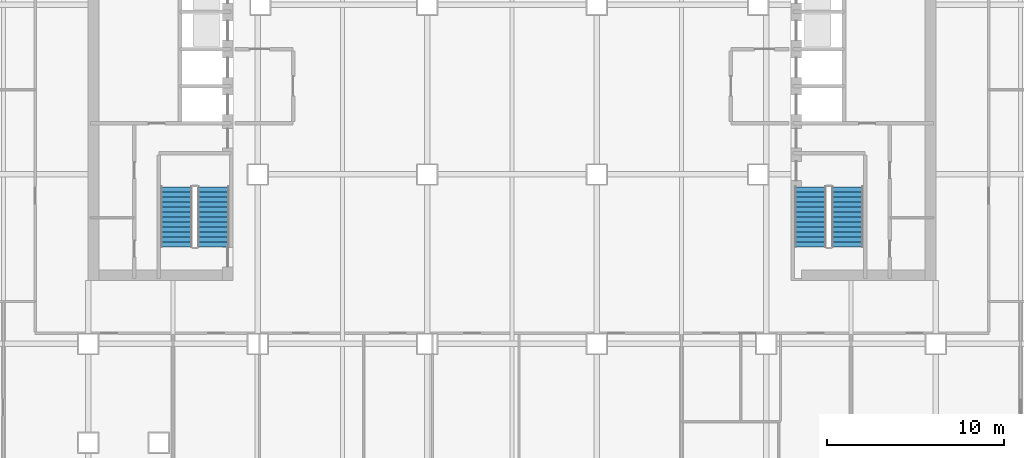
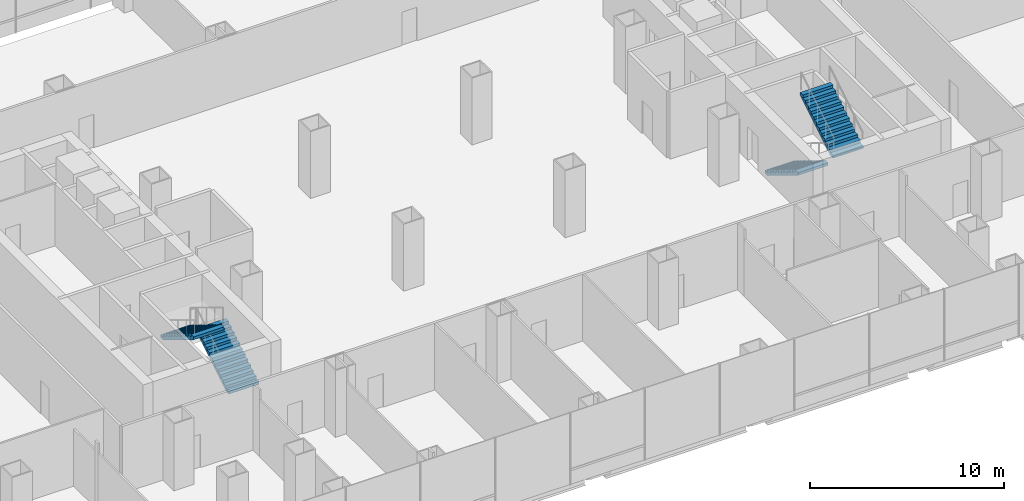
# One storey, part 21 of 23: 4 stair flights, 2 elements without a shape of their own.
"""IFC4 building model written with IfcOpenShell, lengths in metres."""

from ifc_helpers import new_model, si_unit, direction, frame, origin, place, context, subcontext, project, spatial, polyline, outline, extrude, material, type_object, element, aggregate, save


model = new_model("IFC4")

# Units and contexts
model_context = context("Model", 3, precision=1e-05, world=origin(), true_north=direction((0.0, 1.0)))
body_context = subcontext(model_context, "Body", "Model", "MODEL_VIEW")
ifc_project = project(units=[si_unit("LENGTHUNIT", "METRE"), si_unit("AREAUNIT", "SQUARE_METRE"), si_unit("VOLUMEUNIT", "CUBIC_METRE"), si_unit("PLANEANGLEUNIT", "RADIAN"), si_unit("MASSUNIT", "GRAM", prefix="KILO")], contexts=[model_context])

# Site, building, storey
site_placement = place(None, origin())
site = spatial("IfcSite", under=ifc_project, at=site_placement, CompositionType="ELEMENT")
building_placement = place(site_placement, origin())
building = spatial("IfcBuilding", under=site, at=building_placement, Name="Cobrizo Arcos Hotel Tower", CompositionType="ELEMENT")
storey_placement = place(building_placement, frame((0.0, 0.0, 29.0)))
storey = spatial("IfcBuildingStorey", under=building, at=storey_placement, Name="L05", CompositionType="ELEMENT", Elevation=29.0)

# Stair, stair flights
ifc_material = material(Name="Concrete f'c 40 MPa", Category="concrete")
stair_type = type_object("IfcStairType", Name="Exit stair", PredefinedType="HALF_TURN_STAIR", material=ifc_material)
stair_1_placement = place(storey_placement, origin())
stair_1 = element("IfcStair", 1, at=stair_1_placement, inside=storey, type_object=stair_type, Name="L05 Exit stair ST-W", PredefinedType="HALF_TURN_STAIR")
stair_flight_type = type_object("IfcStairFlightType", Name="Exit stair flight", PredefinedType="STRAIGHT", material=ifc_material)
stair_flight_1_placement = place(storey_placement, frame((-16.89990234375, -8.89990234375, 0.0), z_axis=(0.0, 0.0, 1.0), x_axis=(0.0, 1.0, 0.0)))
stair_flight_1 = element("IfcStairFlight", 2, at=stair_flight_1_placement, type_object=stair_flight_type, Name="ST-W flight 1", NumberOfRisers=13, NumberOfTreads=12, PredefinedType="STRAIGHT", RiserHeight=0.173076923, TreadLength=0.283333333, context=body_context, shape_type="SweptSolid", body=[
    extrude(outline(polyline([(0.0, 0.0), (0.0, 0.173095703125), (0.283447265625, 0.173095703125), (0.283447265625, 0.34619140625), (0.566650390625, 0.34619140625), (0.566650390625, 0.519287109375), (0.85009765625, 0.519287109375), (0.85009765625, 0.6923828125), (1.13330078125, 0.6923828125), (1.13330078125, 0.865478515625), (1.416748046875, 0.865478515625), (1.416748046875, 1.03857421875), (1.699951171875, 1.03857421875), (1.699951171875, 1.21142578125), (1.9833984375, 1.21142578125), (1.9833984375, 1.384521484375), (2.2666015625, 1.384521484375), (2.2666015625, 1.5576171875), (2.550048828125, 1.5576171875), (2.550048828125, 1.730712890625), (2.833251953125, 1.730712890625), (2.833251953125, 1.90380859375), (3.11669921875, 1.90380859375), (3.11669921875, 2.076904296875), (3.39990234375, 2.076904296875), (3.39990234375, 2.25), (3.39990234375, 1.9013671875), (0.28759765625, 0.0), (0.0, 0.0)])), frame((0.0, 0.89990234375, 0.0), z_axis=(0.0, -1.0, 0.0), x_axis=(1.0, 0.0, 0.0)), (0.0, 0.0, 1.0), 1.800048828125),
])
stair_flight_2_placement = place(storey_placement, frame((-19.0, -5.5, 2.25), z_axis=(0.0, 0.0, 1.0), x_axis=(0.0, -1.0, 0.0)))
stair_flight_2 = element("IfcStairFlight", 3, at=stair_flight_2_placement, type_object=stair_flight_type, Name="ST-W flight 2", NumberOfRisers=13, NumberOfTreads=12, PredefinedType="STRAIGHT", RiserHeight=0.173076923, TreadLength=0.283333333, context=body_context, shape_type="SweptSolid", body=[
    extrude(outline(polyline([(0.0, 0.0), (0.0, 0.173095703125), (0.283447265625, 0.173095703125), (0.283447265625, 0.34619140625), (0.566650390625, 0.34619140625), (0.566650390625, 0.519287109375), (0.85009765625, 0.519287109375), (0.85009765625, 0.6923828125), (1.13330078125, 0.6923828125), (1.13330078125, 0.865478515625), (1.416748046875, 0.865478515625), (1.416748046875, 1.03857421875), (1.699951171875, 1.03857421875), (1.699951171875, 1.21142578125), (1.9833984375, 1.21142578125), (1.9833984375, 1.384521484375), (2.2666015625, 1.384521484375), (2.2666015625, 1.5576171875), (2.550048828125, 1.5576171875), (2.550048828125, 1.730712890625), (2.833251953125, 1.730712890625), (2.833251953125, 1.90380859375), (3.11669921875, 1.90380859375), (3.11669921875, 2.076904296875), (3.39990234375, 2.076904296875), (3.39990234375, 2.25), (3.39990234375, 1.9013671875), (0.28759765625, 0.0), (0.0, 0.0)])), frame((0.0, 0.89990234375, 0.0), z_axis=(0.0, -1.0, 0.0), x_axis=(1.0, 0.0, 0.0)), (0.0, 0.0, 1.0), 1.800048828125),
])
aggregate(stair_1, [stair_flight_1, stair_flight_2])

stair_2_placement = place(storey_placement, origin())
stair_2 = element("IfcStair", 4, at=stair_2_placement, inside=storey, type_object=stair_type, Name="L05 Exit stair ST-E", PredefinedType="HALF_TURN_STAIR")
stair_flight_3_placement = place(storey_placement, frame((16.89990234375, -5.5, 0.0), z_axis=(0.0, 0.0, 1.0), x_axis=(0.0, -1.0, 0.0)))
stair_flight_3 = element("IfcStairFlight", 5, at=stair_flight_3_placement, type_object=stair_flight_type, Name="ST-E flight 1", NumberOfRisers=13, NumberOfTreads=12, PredefinedType="STRAIGHT", RiserHeight=0.173076923, TreadLength=0.283333333, context=body_context, shape_type="SweptSolid", body=[
    extrude(outline(polyline([(0.0, 0.0), (0.0, 0.173095703125), (0.283447265625, 0.173095703125), (0.283447265625, 0.34619140625), (0.566650390625, 0.34619140625), (0.566650390625, 0.519287109375), (0.85009765625, 0.519287109375), (0.85009765625, 0.6923828125), (1.13330078125, 0.6923828125), (1.13330078125, 0.865478515625), (1.416748046875, 0.865478515625), (1.416748046875, 1.03857421875), (1.699951171875, 1.03857421875), (1.699951171875, 1.21142578125), (1.9833984375, 1.21142578125), (1.9833984375, 1.384521484375), (2.2666015625, 1.384521484375), (2.2666015625, 1.5576171875), (2.550048828125, 1.5576171875), (2.550048828125, 1.730712890625), (2.833251953125, 1.730712890625), (2.833251953125, 1.90380859375), (3.11669921875, 1.90380859375), (3.11669921875, 2.076904296875), (3.39990234375, 2.076904296875), (3.39990234375, 2.25), (3.39990234375, 1.9013671875), (0.28759765625, 0.0), (0.0, 0.0)])), frame((0.0, 0.89990234375, 0.0), z_axis=(0.0, -1.0, 0.0), x_axis=(1.0, 0.0, 0.0)), (0.0, 0.0, 1.0), 1.800048828125),
])
stair_flight_4_placement = place(storey_placement, frame((19.0, -8.89990234375, 2.25), z_axis=(0.0, 0.0, 1.0), x_axis=(0.0, 1.0, 0.0)))
stair_flight_4 = element("IfcStairFlight", 6, at=stair_flight_4_placement, type_object=stair_flight_type, Name="ST-E flight 2", NumberOfRisers=13, NumberOfTreads=12, PredefinedType="STRAIGHT", RiserHeight=0.173076923, TreadLength=0.283333333, context=body_context, shape_type="SweptSolid", body=[
    extrude(outline(polyline([(0.0, 0.0), (0.0, 0.173095703125), (0.283447265625, 0.173095703125), (0.283447265625, 0.34619140625), (0.566650390625, 0.34619140625), (0.566650390625, 0.519287109375), (0.85009765625, 0.519287109375), (0.85009765625, 0.6923828125), (1.13330078125, 0.6923828125), (1.13330078125, 0.865478515625), (1.416748046875, 0.865478515625), (1.416748046875, 1.03857421875), (1.699951171875, 1.03857421875), (1.699951171875, 1.21142578125), (1.9833984375, 1.21142578125), (1.9833984375, 1.384521484375), (2.2666015625, 1.384521484375), (2.2666015625, 1.5576171875), (2.550048828125, 1.5576171875), (2.550048828125, 1.730712890625), (2.833251953125, 1.730712890625), (2.833251953125, 1.90380859375), (3.11669921875, 1.90380859375), (3.11669921875, 2.076904296875), (3.39990234375, 2.076904296875), (3.39990234375, 2.25), (3.39990234375, 1.9013671875), (0.28759765625, 0.0), (0.0, 0.0)])), frame((0.0, 0.89990234375, 0.0), z_axis=(0.0, -1.0, 0.0), x_axis=(1.0, 0.0, 0.0)), (0.0, 0.0, 1.0), 1.800048828125),
])
aggregate(stair_2, [stair_flight_3, stair_flight_4])

save(model, "model.ifc")
